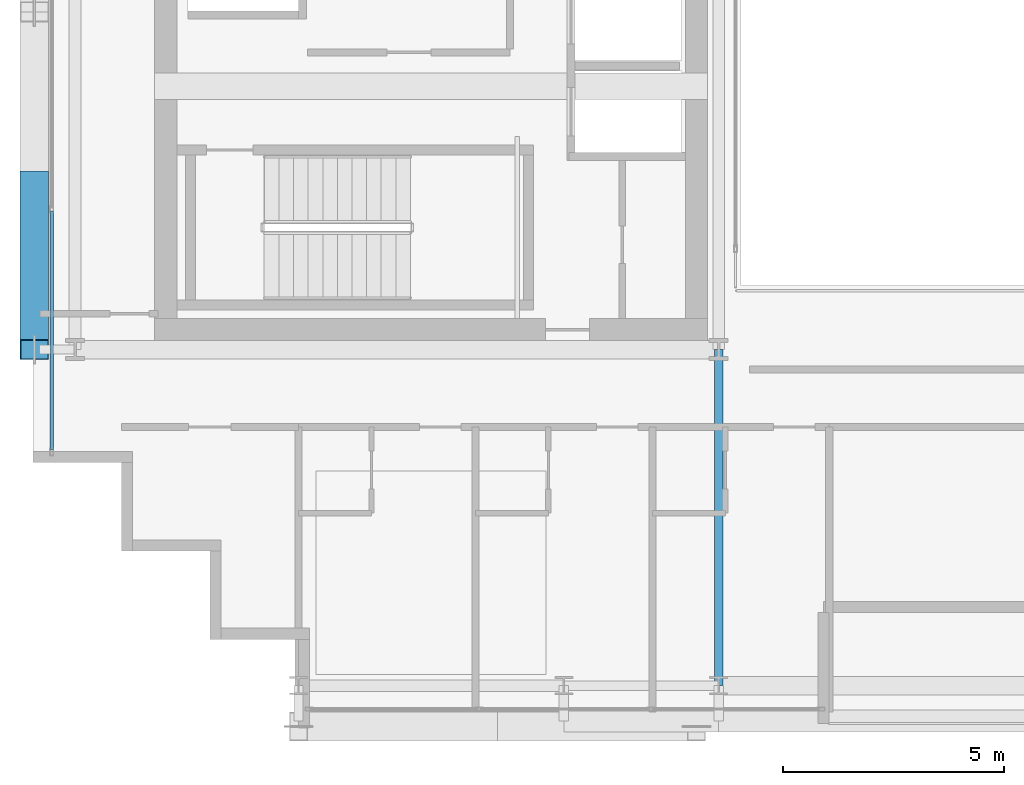
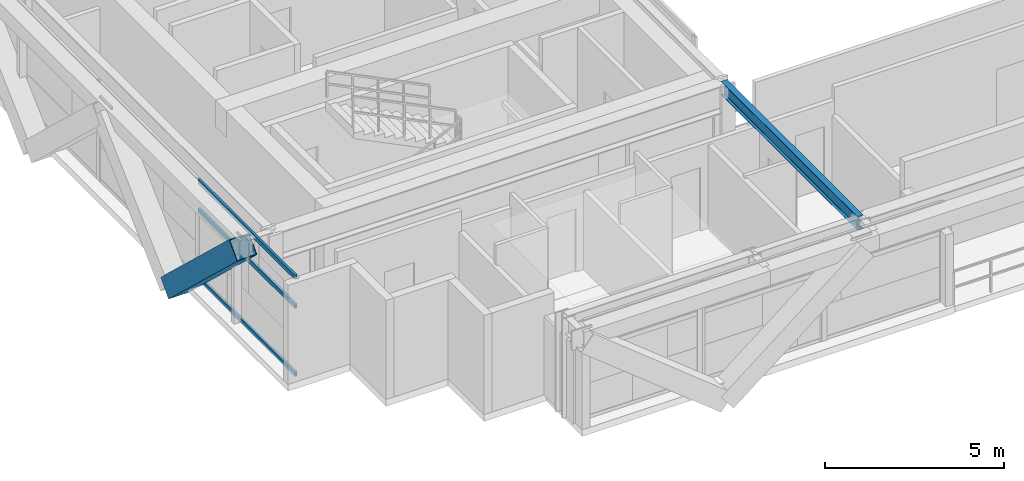
# One storey, part 3 of 38: 4 members, 1 beam, 1 element without a shape of its own.
"""IFC4 building model written with IfcOpenShell, lengths in metres."""

from ifc_helpers import new_model, si_unit, direction, frame, origin, origin_2d, place, context, subcontext, project, spatial, hollow_rectangle, i_section, extrude, source, transform, mapped, material, layer, layer_set, material_profile, profile_set, type_object, element, aggregate, save


model = new_model("IFC4")

# Units and contexts
model_context = context("Model", 3, precision=1e-05, world=origin(), true_north=direction((0.0, 1.0)))
body_context = subcontext(model_context, "Body", "Model", "MODEL_VIEW")
ifc_project = project(units=[si_unit("LENGTHUNIT", "METRE"), si_unit("AREAUNIT", "SQUARE_METRE"), si_unit("VOLUMEUNIT", "CUBIC_METRE"), si_unit("PLANEANGLEUNIT", "RADIAN"), si_unit("MASSUNIT", "GRAM", prefix="KILO")], contexts=[model_context])

# Site, building, storey
site_placement = place(None, origin())
site = spatial("IfcSite", under=ifc_project, at=site_placement, CompositionType="ELEMENT")
building_placement = place(site_placement, origin())
building = spatial("IfcBuilding", under=site, at=building_placement, Name="Ocotamira Hotel", CompositionType="ELEMENT")
storey_placement = place(building_placement, frame((0.0, 0.0, 170.39990234375)))
storey = spatial("IfcBuildingStorey", under=building, at=storey_placement, Name="L42", CompositionType="ELEMENT", Elevation=170.39990234375)

# Beam
ifc_material_1 = material(Name="Steel ASTM A992 Grade 50", Category="steel")
ifc_material_profile_1 = material_profile(ifc_material_1, i_section(OverallWidth=0.18994140625, OverallDepth=0.45703125, WebThickness=0.009033203125, FlangeThickness=0.014404296875, FilletRadius=0.010009765625, at=origin_2d()), Name="W18X50")
ifc_profile_set_1 = profile_set([ifc_material_profile_1], Name="Steel ASTM A992 Grade 50")
beam_type = type_object("IfcBeamType", Name="BM-SEC-W18X50", PredefinedType="JOIST", material=ifc_profile_set_1)
shared_shape_1 = source(origin(), body_context, "Body", "SweptSolid", [
    extrude(i_section(OverallWidth=0.18994140625, OverallDepth=0.45703125, WebThickness=0.009033203125, FlangeThickness=0.014404296875, FilletRadius=0.010009765625, at=origin_2d()), origin(), (0.0, 0.0, 1.0), 7.60009765625),
])
beam_placement = place(storey_placement, frame((23.5, 6.949951171875, 3.1416015625), z_axis=(0.0, 1.0, 0.0), x_axis=(-1.0, 0.0, 0.0)))
element("IfcBeam", 1, at=beam_placement, inside=storey, type_object=beam_type, Name="L42 Beam X23.5 Y6.95-14.55", PredefinedType="JOIST", context=body_context, shape_type="MappedRepresentation", body=[
    mapped(shared_shape_1, transform((0.0, 0.0, 0.0), scale=1.0)),
])

# Member
ifc_material_2 = material(Name="Pale-metal coated steel ASTM A913 Grade 65", Category="steel")
ifc_material_profile_2 = material_profile(ifc_material_2, hollow_rectangle(XDim=0.64990234375, YDim=0.64990234375, WallThickness=0.02197265625, at=origin_2d()), Name="BOX650X650X22")
ifc_profile_set_2 = profile_set([ifc_material_profile_2], Name="Pale-metal coated steel ASTM A913 Grade 65")
member_type_1 = type_object("IfcMemberType", Name="MEM-EXO-BOX650", PredefinedType="BRACE", material=ifc_profile_set_2)
shared_shape_2 = source(origin(), body_context, "Body", "SweptSolid", [
    extrude(hollow_rectangle(XDim=0.64990234375, YDim=0.64990234375, WallThickness=0.02197265625, at=origin_2d()), origin(), (0.0, 0.0, 1.0), 5.24658203125),
])
member_1_placement = place(storey_placement, frame((8.030029296875, 18.36669921875, -0.47998046875), z_axis=(0.0, -0.727442733726, 0.686168397078), x_axis=(1.0, 0.0, 0.0)))
element("IfcMember", 2, at=member_1_placement, inside=storey, type_object=member_type_1, Name="L42 Exoskeleton Diagrid W0.1", PredefinedType="BRACE", context=body_context, shape_type="MappedRepresentation", body=[
    mapped(shared_shape_2, transform((0.0, 0.0, 0.0), scale=1.0)),
])

# Curtain wall, members
ifc_material_3 = material(Name="Anodised pale-metal aluminium and solar glass", Category="aluminium")
ifc_layer = layer(ifc_material_3, 0.199951171875)
ifc_layer_set = layer_set([ifc_layer], Name="Anodised pale-metal aluminium and solar glass")
curtain_wall_type = type_object("IfcCurtainWallType", Name="CW-SYS4-Z3", PredefinedType="NOTDEFINED", material=ifc_layer_set)
curtain_wall_placement = place(storey_placement, origin())
curtain_wall = element("IfcCurtainWall", 3, at=curtain_wall_placement, inside=storey, type_object=curtain_wall_type, Name="L42 Curtain Wall CW-4 CW-L42-W", PredefinedType="NOTDEFINED")
ifc_material_4 = material(Name="Anodised pale-metal aluminium 6063-T6", Category="aluminium")
ifc_material_profile_3 = material_profile(ifc_material_4, hollow_rectangle(XDim=0.074951171875, YDim=0.14990234375, WallThickness=0.006103515625, at=origin_2d()), Name="HSS150X75X6")
ifc_profile_set_3 = profile_set([ifc_material_profile_3], Name="Anodised pale-metal aluminium 6063-T6")
member_type_2 = type_object("IfcMemberType", Name="CWT-150X75", PredefinedType="USERDEFINED", material=ifc_profile_set_3)
shared_shape_3 = source(origin(), body_context, "Body", "SweptSolid", [
    extrude(hollow_rectangle(XDim=0.074951171875, YDim=0.14990234375, WallThickness=0.006103515625, at=origin_2d()), origin(), (0.0, 0.0, 1.0), 5.39990234375),
])
member_2_placement = place(storey_placement, frame((8.419921875, 12.280029296875, 0.03759765625), z_axis=(0.0, 1.0, 0.0), x_axis=(-1.0, 0.0, 0.0)))
member_2 = element("IfcMember", 4, at=member_2_placement, type_object=member_type_2, Name="CW-4 transom 1.1", ObjectType="TRANSOM", PredefinedType="USERDEFINED", context=body_context, shape_type="MappedRepresentation", body=[
    mapped(shared_shape_3, transform((0.0, 0.0, 0.0), scale=1.0)),
])
member_3_placement = place(storey_placement, frame((8.419921875, 12.280029296875, 2.35009765625), z_axis=(0.0, 1.0, 0.0), x_axis=(-1.0, 0.0, 0.0)))
member_3 = element("IfcMember", 5, at=member_3_placement, type_object=member_type_2, Name="CW-4 transom 1.2", ObjectType="TRANSOM", PredefinedType="USERDEFINED", context=body_context, shape_type="MappedRepresentation", body=[
    mapped(shared_shape_3, transform((0.0, 0.0, 0.0), scale=1.0)),
])
member_4_placement = place(storey_placement, frame((8.419921875, 12.280029296875, 3.33251953125), z_axis=(0.0, 1.0, 0.0), x_axis=(-1.0, 0.0, 0.0)))
member_4 = element("IfcMember", 6, at=member_4_placement, type_object=member_type_2, Name="CW-4 transom 1.3", ObjectType="TRANSOM", PredefinedType="USERDEFINED", context=body_context, shape_type="MappedRepresentation", body=[
    mapped(shared_shape_3, transform((0.0, 0.0, 0.0), scale=1.0)),
])
aggregate(curtain_wall, [member_2, member_3, member_4])

save(model, "model.ifc")
